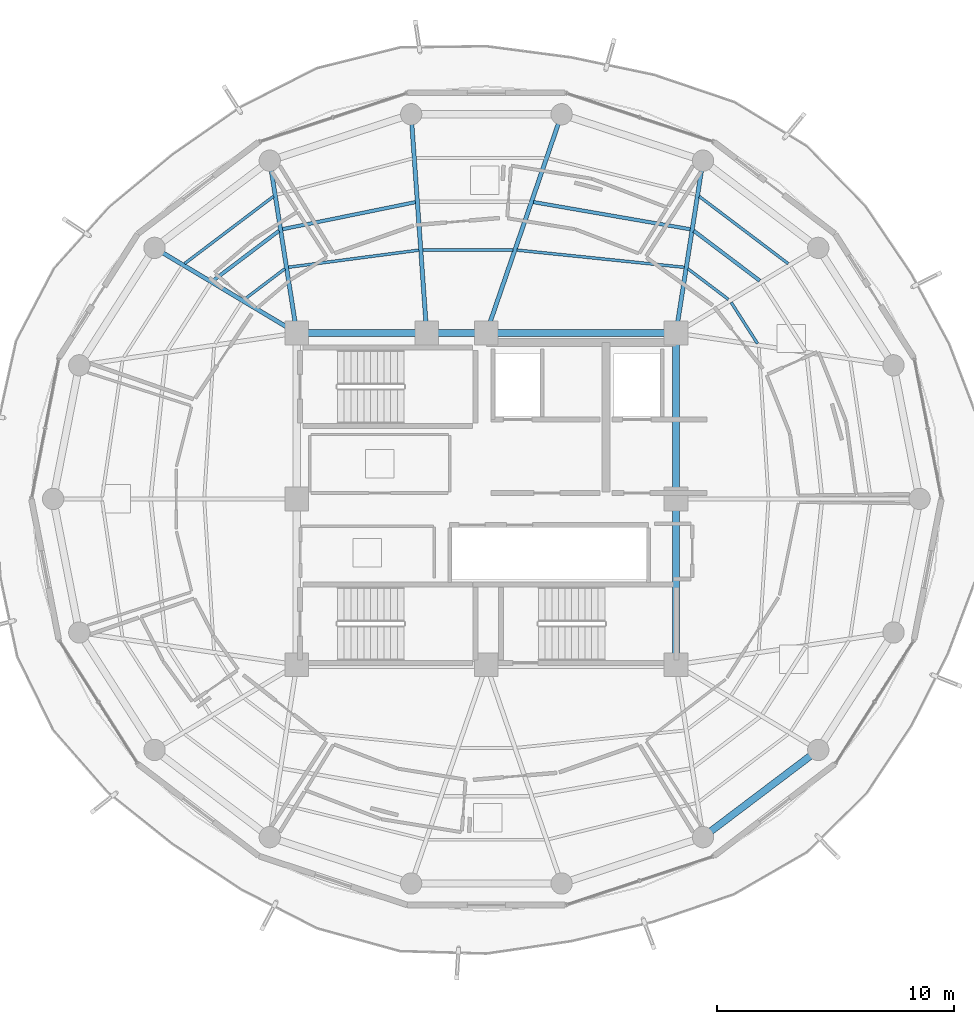
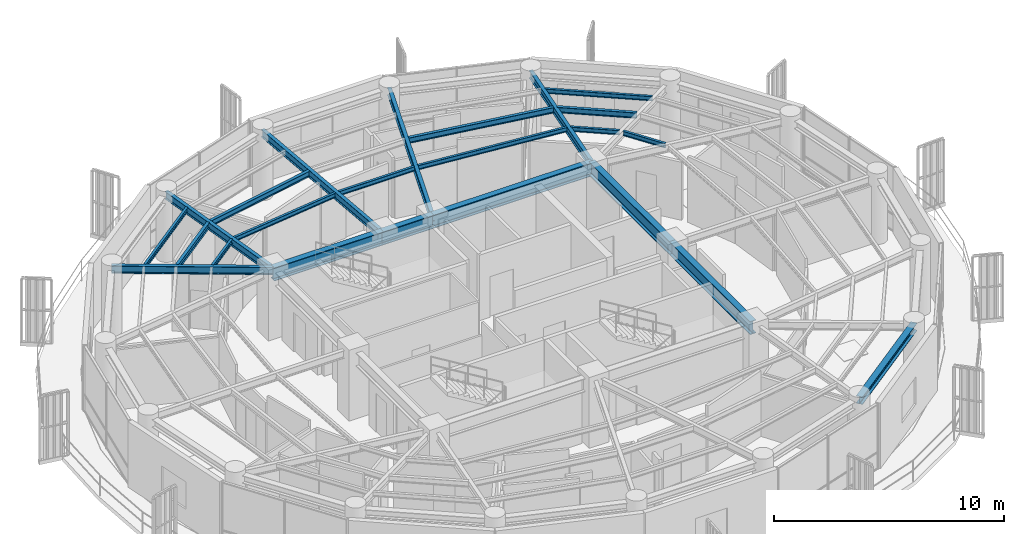
# One storey, part 8 of 22: 23 beams.
"""IFC4 building model written with IfcOpenShell, lengths in metres."""

from ifc_helpers import new_model, si_unit, direction, frame, origin, origin_2d, place, context, subcontext, project, spatial, i_section, extrude, material, material_profile, profile_set, type_object, element, save


model = new_model("IFC4")

# Units and contexts
model_context = context("Model", 3, precision=1e-05, world=origin(), true_north=direction((0.0, 1.0)))
body_context = subcontext(model_context, "Body", "Model", "MODEL_VIEW")
ifc_project = project(units=[si_unit("LENGTHUNIT", "METRE"), si_unit("AREAUNIT", "SQUARE_METRE"), si_unit("VOLUMEUNIT", "CUBIC_METRE"), si_unit("PLANEANGLEUNIT", "RADIAN"), si_unit("MASSUNIT", "GRAM", prefix="KILO")], contexts=[model_context])

# Site, building, storey
site_placement = place(None, origin())
site = spatial("IfcSite", under=ifc_project, at=site_placement, CompositionType="ELEMENT")
building_placement = place(site_placement, origin())
building = spatial("IfcBuilding", under=site, at=building_placement, Name="Kelanora Arch Commons", CompositionType="ELEMENT")
storey_placement = place(building_placement, frame((0.0, 0.0, 271.199951171875)))
storey = spatial("IfcBuildingStorey", under=building, at=storey_placement, Name="L69", CompositionType="ELEMENT", Elevation=271.199951171875)

# Beams
ifc_material = material(Name="Steel S355", Category="steel")
ifc_material_profile_1 = material_profile(ifc_material, i_section(OverallWidth=0.300048828125, OverallDepth=0.699951171875, WebThickness=0.01708984375, FlangeThickness=0.031982421875, FilletRadius=0.027099609375, at=origin_2d()), Name="HEB700")
ifc_profile_set_1 = profile_set([ifc_material_profile_1], Name="Steel S355")
beam_type_1 = type_object("IfcBeamType", Name="BM-CORE-HDR", PredefinedType="BEAM", material=ifc_profile_set_1)
for number, where, z_axis, x_axis, name in (
    (1, (82.0, 51.0, 3.14013671875), (0.0, 1.0, 0.0), (-1.0, 0.0, 0.0), "Core Header Beam 03 L69"),
    (2, (82.0, 58.0, 3.14013671875), (0.0, 1.0, 0.0), (-1.0, 0.0, 0.0), "Core Header Beam 04 L69"),
):
    element("IfcBeam", number, at=place(storey_placement, frame(where, z_axis=z_axis, x_axis=x_axis)), inside=storey, type_object=beam_type_1, Name=name, PredefinedType="BEAM", context=body_context, shape_type="SweptSolid", body=[
        extrude(i_section(OverallWidth=0.300048828125, OverallDepth=0.699951171875, WebThickness=0.01708984375, FlangeThickness=0.031982421875, FilletRadius=0.027099609375, at=origin_2d()), origin(), (0.0, 0.0, 1.0), 7.0),
    ])
beam_1_placement = place(storey_placement, frame((82.0, 65.0, 3.14013671875), z_axis=(-1.0, 0.0, 0.0), x_axis=(0.0, -1.0, 0.0)))
element("IfcBeam", 3, at=beam_1_placement, inside=storey, type_object=beam_type_1, Name="Core Header Beam 05 L69", PredefinedType="BEAM", context=body_context, shape_type="SweptSolid", body=[
    extrude(i_section(OverallWidth=0.300048828125, OverallDepth=0.699951171875, WebThickness=0.01708984375, FlangeThickness=0.031982421875, FilletRadius=0.027099609375, at=origin_2d()), origin(), (0.0, 0.0, 1.0), 8.0),
])
beam_2_placement = place(storey_placement, frame((74.0, 65.0, 3.14013671875), z_axis=(-1.0, 0.0, 0.0), x_axis=(0.0, -1.0, 0.0)))
element("IfcBeam", 4, at=beam_2_placement, inside=storey, type_object=beam_type_1, Name="Core Header Beam 06 L69", PredefinedType="BEAM", context=body_context, shape_type="SweptSolid", body=[
    extrude(i_section(OverallWidth=0.300048828125, OverallDepth=0.699951171875, WebThickness=0.01708984375, FlangeThickness=0.031982421875, FilletRadius=0.027099609375, at=origin_2d()), origin(), (0.0, 0.0, 1.0), 2.52001953125),
])
beam_3_placement = place(storey_placement, frame((71.47998046875, 65.0, 3.14013671875), z_axis=(-1.0, 0.0, 0.0), x_axis=(0.0, -1.0, 0.0)))
element("IfcBeam", 5, at=beam_3_placement, inside=storey, type_object=beam_type_1, Name="Core Header Beam 07 L69", PredefinedType="BEAM", context=body_context, shape_type="SweptSolid", body=[
    extrude(i_section(OverallWidth=0.300048828125, OverallDepth=0.699951171875, WebThickness=0.01708984375, FlangeThickness=0.031982421875, FilletRadius=0.027099609375, at=origin_2d()), origin(), (0.0, 0.0, 1.0), 5.47998046875),
])
ifc_material_profile_2 = material_profile(ifc_material, i_section(OverallWidth=0.14990234375, OverallDepth=0.300048828125, WebThickness=0.007080078125, FlangeThickness=0.0107421875, FilletRadius=0.014892578125, at=origin_2d()), Name="IPE300")
ifc_profile_set_2 = profile_set([ifc_material_profile_2], Name="Steel S355")
beam_type_2 = type_object("IfcBeamType", Name="BM-JST-01", PredefinedType="JOIST", material=ifc_profile_set_2)
beam_4_placement = place(storey_placement, frame((85.5341796875, 67.20703125, 3.340087890625), z_axis=(-0.797499198801, 0.603320004568, 0.0), x_axis=(-0.603320004568, -0.797499198801, 0.0)))
element("IfcBeam", 6, at=beam_4_placement, inside=storey, type_object=beam_type_2, Name="Secondary Chord Joist BJB-04 L69", PredefinedType="JOIST", context=body_context, shape_type="SweptSolid", body=[
    extrude(i_section(OverallWidth=0.14990234375, OverallDepth=0.300048828125, WebThickness=0.007080078125, FlangeThickness=0.0107421875, FilletRadius=0.014892578125, at=origin_2d()), origin(), (0.0, 0.0, 1.0), 3.489013671875),
])
beam_5_placement = place(storey_placement, frame((82.60009765625, 69.377685546875, 3.340087890625), z_axis=(-0.985321568263, 0.170708544357, 0.0), x_axis=(-0.170708544357, -0.985321568263, 0.0)))
element("IfcBeam", 7, at=beam_5_placement, inside=storey, type_object=beam_type_2, Name="Secondary Chord Joist BJB-06 L69", PredefinedType="JOIST", context=body_context, shape_type="SweptSolid", body=[
    extrude(i_section(OverallWidth=0.14990234375, OverallDepth=0.300048828125, WebThickness=0.007080078125, FlangeThickness=0.0107421875, FilletRadius=0.014892578125, at=origin_2d()), origin(), (0.0, 0.0, 1.0), 6.710205078125),
])
beam_6_placement = place(storey_placement, frame((71.004150390625, 70.520751953125, 3.340087890625), z_axis=(-0.979913482255, -0.199423086165, 0.0), x_axis=(0.199423086165, -0.979913482255, 0.0)))
element("IfcBeam", 8, at=beam_6_placement, inside=storey, type_object=beam_type_2, Name="Secondary Chord Joist BJB-10 L69", PredefinedType="JOIST", context=body_context, shape_type="SweptSolid", body=[
    extrude(i_section(OverallWidth=0.14990234375, OverallDepth=0.300048828125, WebThickness=0.007080078125, FlangeThickness=0.0107421875, FilletRadius=0.014892578125, at=origin_2d()), origin(), (0.0, 0.0, 1.0), 5.7197265625),
])
beam_7_placement = place(storey_placement, frame((65.248291015625, 69.31201171875, 3.340087890625), z_axis=(-0.797499198801, -0.603320004568, 0.0), x_axis=(0.603320004568, -0.797499198801, 0.0)))
element("IfcBeam", 9, at=beam_7_placement, inside=storey, type_object=beam_type_2, Name="Secondary Chord Joist BJB-12 L69", PredefinedType="JOIST", context=body_context, shape_type="SweptSolid", body=[
    extrude(i_section(OverallWidth=0.14990234375, OverallDepth=0.300048828125, WebThickness=0.007080078125, FlangeThickness=0.0107421875, FilletRadius=0.014892578125, at=origin_2d()), origin(), (0.0, 0.0, 1.0), 3.489013671875),
])
ifc_material_profile_3 = material_profile(ifc_material, i_section(OverallWidth=0.1201171875, OverallDepth=0.239990234375, WebThickness=0.006103515625, FlangeThickness=0.009765625, FilletRadius=0.014892578125, at=origin_2d()), Name="IPE240")
ifc_profile_set_3 = profile_set([ifc_material_profile_3], Name="Steel S355")
beam_type_3 = type_object("IfcBeamType", Name="BM-JST-02", PredefinedType="JOIST", material=ifc_profile_set_3)
beam_8_placement = place(storey_placement, frame((85.441650390625, 64.553466796875, 3.3701171875), z_axis=(-0.539311810315, 0.842106152011, 0.0), x_axis=(-0.842106152011, -0.539311810315, 0.0)))
element("IfcBeam", 10, at=beam_8_placement, inside=storey, type_object=beam_type_3, Name="Secondary Chord Joist BJA-02 L69", PredefinedType="JOIST", context=body_context, shape_type="SweptSolid", body=[
    extrude(i_section(OverallWidth=0.1201171875, OverallDepth=0.239990234375, WebThickness=0.006103515625, FlangeThickness=0.009765625, FilletRadius=0.014892578125, at=origin_2d()), origin(), (0.0, 0.0, 1.0), 2.06640625),
])
beam_9_placement = place(storey_placement, frame((84.21337890625, 66.416748046875, 3.3701171875), z_axis=(-0.797509883882, 0.603305880222, 0.0), x_axis=(-0.603305880222, -0.797509883882, 0.0)))
element("IfcBeam", 11, at=beam_9_placement, inside=storey, type_object=beam_type_3, Name="Secondary Chord Joist BJA-04 L69", PredefinedType="JOIST", context=body_context, shape_type="SweptSolid", body=[
    extrude(i_section(OverallWidth=0.1201171875, OverallDepth=0.239990234375, WebThickness=0.006103515625, FlangeThickness=0.009765625, FilletRadius=0.014892578125, at=origin_2d()), origin(), (0.0, 0.0, 1.0), 2.147216796875),
])
beam_10_placement = place(storey_placement, frame((86.73486328125, 67.92578125, 3.3701171875), z_axis=(-0.79752302984, 0.60328850219, 0.0), x_axis=(-0.60328850219, -0.79752302984, 0.0)))
element("IfcBeam", 12, at=beam_10_placement, inside=storey, type_object=beam_type_3, Name="Secondary Chord Joist BJC-04 L69", PredefinedType="JOIST", context=body_context, shape_type="SweptSolid", body=[
    extrude(i_section(OverallWidth=0.1201171875, OverallDepth=0.239990234375, WebThickness=0.006103515625, FlangeThickness=0.009765625, FilletRadius=0.014892578125, at=origin_2d()), origin(), (0.0, 0.0, 1.0), 4.70849609375),
])
beam_11_placement = place(storey_placement, frame((82.3486328125, 67.772216796875, 3.3701171875), z_axis=(-0.994746545688, 0.102368500239, 0.0), x_axis=(-0.102368500239, -0.994746545688, 0.0)))
element("IfcBeam", 13, at=beam_11_placement, inside=storey, type_object=beam_type_3, Name="Secondary Chord Joist BJA-06 L69", PredefinedType="JOIST", context=body_context, shape_type="SweptSolid", body=[
    extrude(i_section(OverallWidth=0.1201171875, OverallDepth=0.239990234375, WebThickness=0.006103515625, FlangeThickness=0.009765625, FilletRadius=0.014892578125, at=origin_2d()), origin(), (0.0, 0.0, 1.0), 7.09521484375),
])
beam_12_placement = place(storey_placement, frame((75.12109375, 68.507080078125, 3.3701171875), z_axis=(-1.0, 0.0, 0.0), x_axis=(0.0, -1.0, 0.0)))
element("IfcBeam", 14, at=beam_12_placement, inside=storey, type_object=beam_type_3, Name="Secondary Chord Joist BJA-08 L69", PredefinedType="JOIST", context=body_context, shape_type="SweptSolid", body=[
    extrude(i_section(OverallWidth=0.1201171875, OverallDepth=0.239990234375, WebThickness=0.006103515625, FlangeThickness=0.009765625, FilletRadius=0.014892578125, at=origin_2d()), origin(), (0.0, 0.0, 1.0), 3.8046875),
])
beam_13_placement = place(storey_placement, frame((71.147216796875, 68.49609375, 3.3701171875), z_axis=(-0.991489038745, -0.130190191832, 0.0), x_axis=(0.130190191832, -0.991489038745, 0.0)))
element("IfcBeam", 15, at=beam_13_placement, inside=storey, type_object=beam_type_3, Name="Secondary Chord Joist BJA-10 L69", PredefinedType="JOIST", context=body_context, shape_type="SweptSolid", body=[
    extrude(i_section(OverallWidth=0.1201171875, OverallDepth=0.239990234375, WebThickness=0.006103515625, FlangeThickness=0.009765625, FilletRadius=0.014892578125, at=origin_2d()), origin(), (0.0, 0.0, 1.0), 5.543212890625),
])
beam_14_placement = place(storey_placement, frame((65.4990234375, 67.712158203125, 3.3701171875), z_axis=(-0.797509883882, -0.603305880222, 0.0), x_axis=(0.603305880222, -0.797509883882, 0.0)))
element("IfcBeam", 16, at=beam_14_placement, inside=storey, type_object=beam_type_3, Name="Secondary Chord Joist BJA-12 L69", PredefinedType="JOIST", context=body_context, shape_type="SweptSolid", body=[
    extrude(i_section(OverallWidth=0.1201171875, OverallDepth=0.239990234375, WebThickness=0.006103515625, FlangeThickness=0.009765625, FilletRadius=0.014892578125, at=origin_2d()), origin(), (0.0, 0.0, 1.0), 2.147216796875),
])
beam_15_placement = place(storey_placement, frame((65.020263671875, 70.766357421875, 3.3701171875), z_axis=(-0.79752302984, -0.60328850219, 0.0), x_axis=(0.60328850219, -0.79752302984, 0.0)))
element("IfcBeam", 17, at=beam_15_placement, inside=storey, type_object=beam_type_3, Name="Secondary Chord Joist BJC-12 L69", PredefinedType="JOIST", context=body_context, shape_type="SweptSolid", body=[
    extrude(i_section(OverallWidth=0.1201171875, OverallDepth=0.239990234375, WebThickness=0.006103515625, FlangeThickness=0.009765625, FilletRadius=0.014892578125, at=origin_2d()), origin(), (0.0, 0.0, 1.0), 4.70849609375),
])
ifc_material_profile_4 = material_profile(ifc_material, i_section(OverallWidth=0.179931640625, OverallDepth=0.39990234375, WebThickness=0.008544921875, FlangeThickness=0.013427734375, FilletRadius=0.02099609375, at=origin_2d()), Name="IPE400")
ifc_profile_set_4 = profile_set([ifc_material_profile_4], Name="Steel S355")
beam_type_4 = type_object("IfcBeamType", Name="BM-RAD-Z5", PredefinedType="BEAM", material=ifc_profile_set_4)
beam_16_placement = place(storey_placement, frame((82.0, 65.0, 3.2900390625), z_axis=(0.154855424129, 0.987937142544, 0.0), x_axis=(-0.987937142544, 0.154855424129, 0.0)))
element("IfcBeam", 18, at=beam_16_placement, inside=storey, type_object=beam_type_4, Name="Radial Floor Girder BR-06 L69", PredefinedType="BEAM", context=body_context, shape_type="SweptSolid", body=[
    extrude(i_section(OverallWidth=0.179931640625, OverallDepth=0.39990234375, WebThickness=0.008544921875, FlangeThickness=0.013427734375, FilletRadius=0.02099609375, at=origin_2d()), origin(), (0.0, 0.0, 1.0), 7.361083984375),
])
beam_17_placement = place(storey_placement, frame((74.0, 65.0, 3.2900390625), z_axis=(0.325233562807, 0.945633718532, 0.0), x_axis=(-0.945633718532, 0.325233562807, 0.0)))
element("IfcBeam", 19, at=beam_17_placement, inside=storey, type_object=beam_type_4, Name="Radial Floor Girder BR-08 L69", PredefinedType="BEAM", context=body_context, shape_type="SweptSolid", body=[
    extrude(i_section(OverallWidth=0.179931640625, OverallDepth=0.39990234375, WebThickness=0.008544921875, FlangeThickness=0.013427734375, FilletRadius=0.02099609375, at=origin_2d()), origin(), (0.0, 0.0, 1.0), 9.760009765625),
])
beam_18_placement = place(storey_placement, frame((71.47998046875, 65.0, 3.2900390625), z_axis=(-0.070714497892, 0.997496596379, 0.0), x_axis=(-0.997496596379, -0.070714497892, 0.0)))
element("IfcBeam", 20, at=beam_18_placement, inside=storey, type_object=beam_type_4, Name="Radial Floor Girder BR-10 L69", PredefinedType="BEAM", context=body_context, shape_type="SweptSolid", body=[
    extrude(i_section(OverallWidth=0.179931640625, OverallDepth=0.39990234375, WebThickness=0.008544921875, FlangeThickness=0.013427734375, FilletRadius=0.02099609375, at=origin_2d()), origin(), (0.0, 0.0, 1.0), 9.252685546875),
])
beam_19_placement = place(storey_placement, frame((66.0, 65.0, 3.2900390625), z_axis=(-0.154855424129, 0.987937142544, 0.0), x_axis=(-0.987937142544, -0.154855424129, 0.0)))
element("IfcBeam", 21, at=beam_19_placement, inside=storey, type_object=beam_type_4, Name="Radial Floor Girder BR-12 L69", PredefinedType="BEAM", context=body_context, shape_type="SweptSolid", body=[
    extrude(i_section(OverallWidth=0.179931640625, OverallDepth=0.39990234375, WebThickness=0.008544921875, FlangeThickness=0.013427734375, FilletRadius=0.02099609375, at=origin_2d()), origin(), (0.0, 0.0, 1.0), 7.361083984375),
])
beam_20_placement = place(storey_placement, frame((66.0, 65.0, 3.2900390625), z_axis=(-0.858062005744, 0.513546097541, 0.0), x_axis=(-0.513546097541, -0.858062005744, 0.0)))
element("IfcBeam", 22, at=beam_20_placement, inside=storey, type_object=beam_type_4, Name="Radial Floor Girder BR-14 L69", PredefinedType="BEAM", context=body_context, shape_type="SweptSolid", body=[
    extrude(i_section(OverallWidth=0.179931640625, OverallDepth=0.39990234375, WebThickness=0.008544921875, FlangeThickness=0.013427734375, FilletRadius=0.02099609375, at=origin_2d()), origin(), (0.0, 0.0, 1.0), 6.99658203125),
])
ifc_material_profile_5 = material_profile(ifc_material, i_section(OverallWidth=0.300048828125, OverallDepth=0.39990234375, WebThickness=0.013427734375, FlangeThickness=0.02392578125, FilletRadius=0.027099609375, at=origin_2d()), Name="HEB400")
ifc_profile_set_5 = profile_set([ifc_material_profile_5], Name="Steel S355")
beam_type_5 = type_object("IfcBeamType", Name="BM-SPN-Z4", PredefinedType="SPANDREL", material=ifc_profile_set_5)
beam_21_placement = place(storey_placement, frame((83.139892578125, 43.727783203125, 3.2900390625), z_axis=(0.797509460967, 0.603306439273, 0.0), x_axis=(-0.603306439273, 0.797509460967, 0.0)))
element("IfcBeam", 23, at=beam_21_placement, inside=storey, type_object=beam_type_5, Name="Perimeter Spandrel Beam BS-30 L69", PredefinedType="SPANDREL", context=body_context, shape_type="SweptSolid", body=[
    extrude(i_section(OverallWidth=0.300048828125, OverallDepth=0.39990234375, WebThickness=0.013427734375, FlangeThickness=0.02392578125, FilletRadius=0.027099609375, at=origin_2d()), origin(), (0.0, 0.0, 1.0), 6.098388671875),
])

save(model, "model.ifc")
